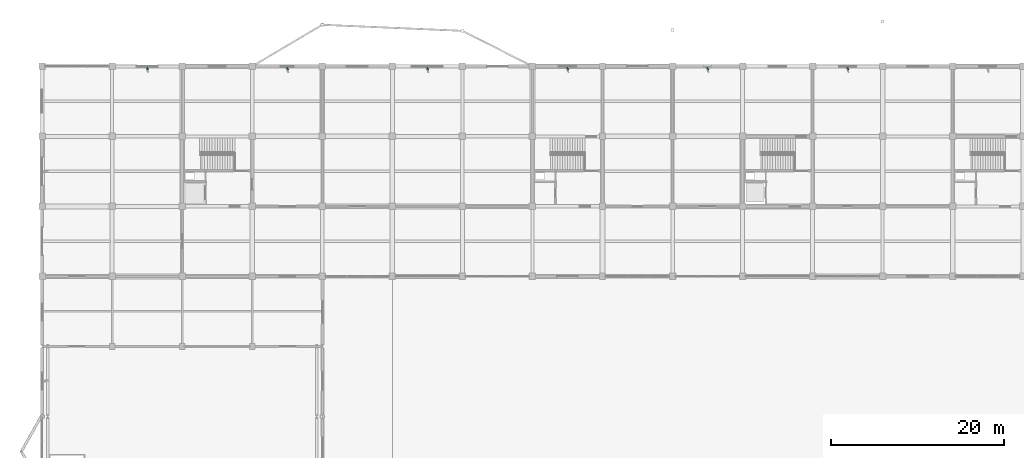
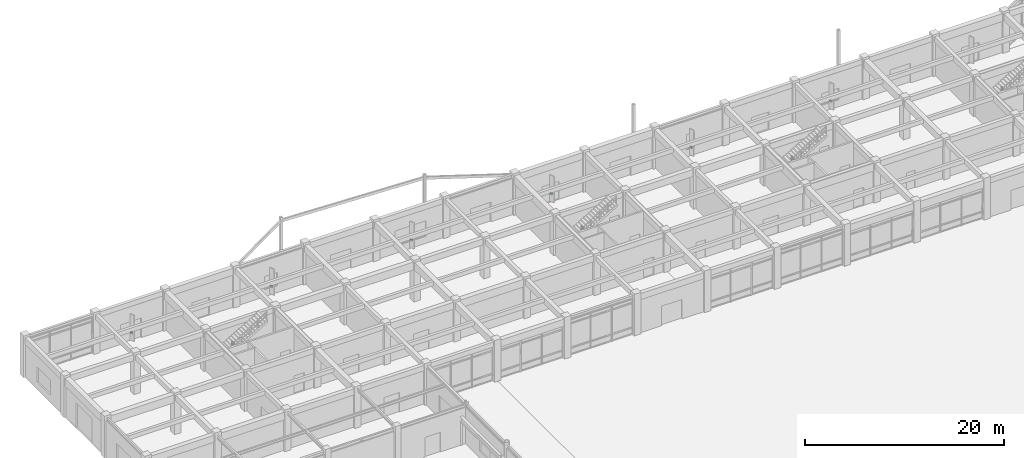
# One storey, part 84 of 99: 6 discrete accessories.
"""IFC4 building model written with IfcOpenShell, lengths in metres."""

from ifc_helpers import new_model, si_unit, direction, frame, origin, origin_2d, place, context, subcontext, project, spatial, rectangle, extrude, material, type_object, element, save


model = new_model("IFC4")

# Units and contexts
model_context = context("Model", 3, precision=1e-05, world=origin(), true_north=direction((0.0, 1.0)))
body_context = subcontext(model_context, "Body", "Model", "MODEL_VIEW")
ifc_project = project(units=[si_unit("LENGTHUNIT", "METRE"), si_unit("AREAUNIT", "SQUARE_METRE"), si_unit("VOLUMEUNIT", "CUBIC_METRE"), si_unit("PLANEANGLEUNIT", "RADIAN"), si_unit("MASSUNIT", "GRAM", prefix="KILO")], contexts=[model_context])

# Site, building, storey
site_placement = place(None, origin())
site = spatial("IfcSite", under=ifc_project, at=site_placement, CompositionType="ELEMENT")
building_placement = place(site_placement, origin())
building = spatial("IfcBuilding", under=site, at=building_placement, Name="Vaudrelin Polytechnic", CompositionType="ELEMENT")
storey_placement = place(building_placement, origin())
storey = spatial("IfcBuildingStorey", under=building, at=storey_placement, Name="L00", CompositionType="ELEMENT", Elevation=0.0)

# Discrete accessories
ifc_material = material(Name="Galvanised steel CSA G40.21 350W", Category="steel")
discrete_accessory_type = type_object("IfcDiscreteAccessoryType", Name="ENV-BRK-01", PredefinedType="BRACKET", material=ifc_material)
for number, where, z_axis, x_axis, name in (
    (1, (12.14990234375, 121.199951171875, 0.990234375), (0.0, 0.0, 1.0), (0.374606593416, -0.927183854567, 0.0), "Solar fin support bracket BRK-003"),
    (2, (28.35009765625, 121.199951171875, 0.990234375), (0.0, 0.0, 1.0), (0.374606593416, -0.927183854567, 0.0), "Solar fin support bracket BRK-004"),
    (3, (44.550048828125, 121.199951171875, 0.990234375), (0.0, 0.0, 1.0), (0.374606593416, -0.927183854567, 0.0), "Solar fin support bracket BRK-005"),
    (4, (60.75, 121.199951171875, 0.990234375), (0.0, 0.0, 1.0), (0.374606593416, -0.927183854567, 0.0), "Solar fin support bracket BRK-006"),
    (5, (76.949951171875, 121.199951171875, 0.990234375), (0.0, 0.0, 1.0), (0.374606593416, -0.927183854567, 0.0), "Solar fin support bracket BRK-007"),
    (6, (93.14990234375, 121.199951171875, 0.990234375), (0.0, 0.0, 1.0), (0.374606593416, -0.927183854567, 0.0), "Solar fin support bracket BRK-008"),
):
    element("IfcDiscreteAccessory", number, at=place(storey_placement, frame(where, z_axis=z_axis, x_axis=x_axis)), inside=storey, type_object=discrete_accessory_type, Name=name, PredefinedType="BRACKET", context=body_context, shape_type="SweptSolid", body=[
        extrude(rectangle(XDim=0.300048828125, YDim=0.179931640625, at=origin_2d()), origin(), (0.0, 0.0, 1.0), 0.219970703125),
    ])

save(model, "model.ifc")
